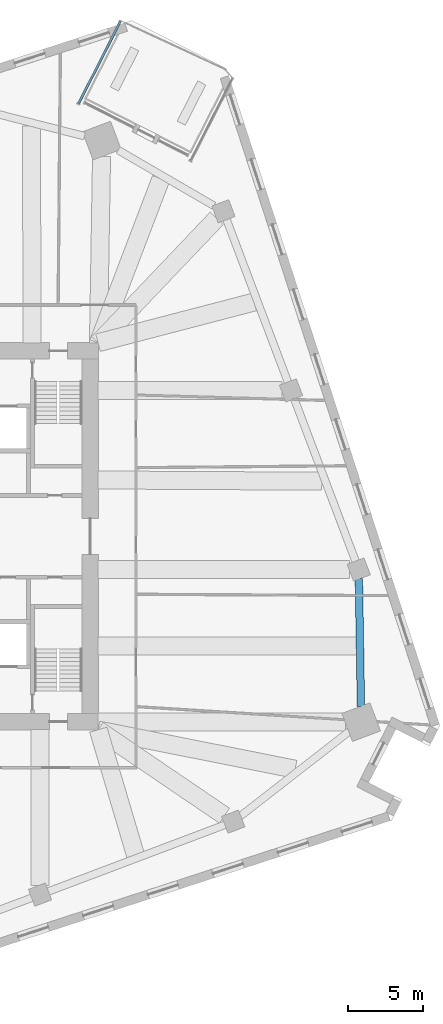
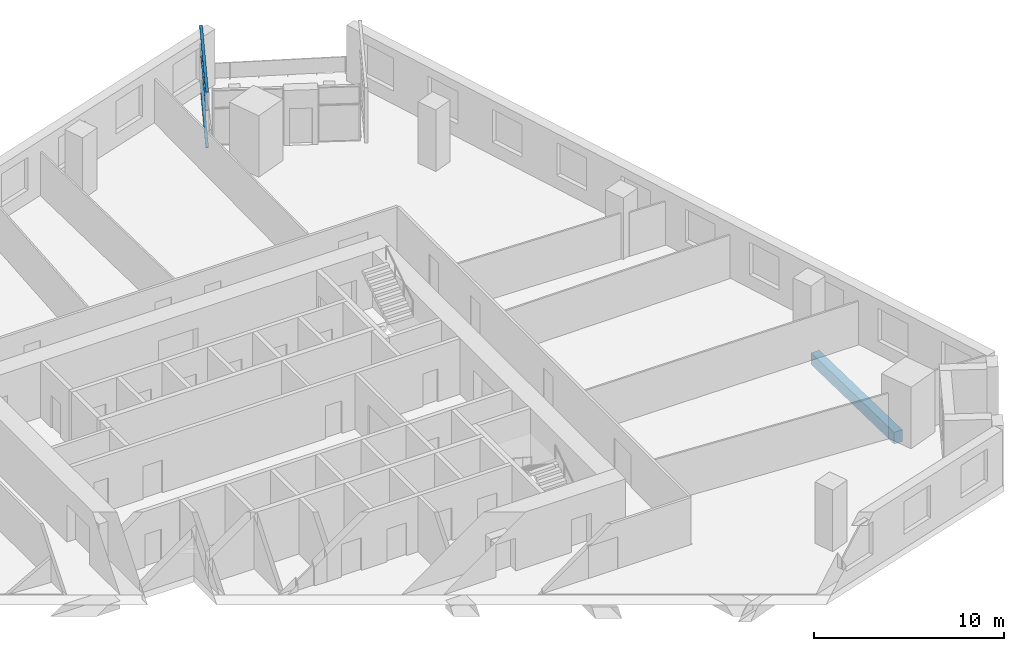
# One storey, part 3 of 12: 3 members, 1 beam, 1 element without a shape of its own.
"""IFC4 building model written with IfcOpenShell, lengths in metres."""

from ifc_helpers import new_model, si_unit, direction, frame, origin, origin_2d, place, context, subcontext, project, spatial, rectangle, extrude, material, material_profile, profile_set, type_object, element, aggregate, save


model = new_model("IFC4")

# Units and contexts
model_context = context("Model", 3, precision=1e-05, world=origin(), true_north=direction((0.0, 1.0)))
body_context = subcontext(model_context, "Body", "Model", "MODEL_VIEW")
ifc_project = project(units=[si_unit("LENGTHUNIT", "METRE"), si_unit("AREAUNIT", "SQUARE_METRE"), si_unit("VOLUMEUNIT", "CUBIC_METRE"), si_unit("PLANEANGLEUNIT", "RADIAN"), si_unit("MASSUNIT", "GRAM", prefix="KILO")], contexts=[model_context])

# Site, building, storey
site_placement = place(None, origin())
site = spatial("IfcSite", under=ifc_project, at=site_placement, CompositionType="ELEMENT")
building_placement = place(site_placement, origin())
building = spatial("IfcBuilding", under=site, at=building_placement, Name="Dilmun Exchange Tower", CompositionType="ELEMENT")
storey_placement = place(building_placement, frame((0.0, 0.0, 94.10009765625)))
storey = spatial("IfcBuildingStorey", under=building, at=storey_placement, Name="L21", CompositionType="ELEMENT", Elevation=94.10009765625)

# Curtain wall, members
ifc_material_1 = material(Name="Anodised aluminium and clear glass", Category="aluminium")
curtain_wall_type = type_object("IfcCurtainWallType", Name="Garden corner glazing", PredefinedType="NOTDEFINED", material=ifc_material_1)
curtain_wall_placement = place(storey_placement, origin())
curtain_wall = element("IfcCurtainWall", 1, at=curtain_wall_placement, inside=storey, type_object=curtain_wall_type, Name="Garden corner glazing run GC3.1", PredefinedType="NOTDEFINED")
ifc_material_2 = material(Name="Anodised aluminium", Category="aluminium")
ifc_material_profile_1 = material_profile(ifc_material_2, rectangle(XDim=0.159912109375, YDim=0.06005859375, at=origin_2d()), Name="AL 60x160")
ifc_profile_set_1 = profile_set([ifc_material_profile_1], Name="Anodised aluminium")
member_type = type_object("IfcMemberType", Name="Garden corner glazing transom 60 x 160", PredefinedType="USERDEFINED", material=ifc_profile_set_1)
member_1_placement = place(storey_placement, frame((11.572509765625, 28.824462890625, 0.02978515625), z_axis=(0.453975328977, 0.891014253915, 0.0), x_axis=(-0.891014253915, 0.453975328977, 0.0)))
member_1 = element("IfcMember", 2, at=member_1_placement, type_object=member_type, Name="GC3.1 transom 1.1", ObjectType="TRANSOM", PredefinedType="USERDEFINED", context=body_context, shape_type="SweptSolid", body=[
    extrude(rectangle(XDim=0.159912109375, YDim=0.06005859375, at=origin_2d()), origin(), (0.0, 0.0, 1.0), 6.12646484375),
])
member_2_placement = place(storey_placement, frame((11.572509765625, 28.824462890625, 2.39990234375), z_axis=(0.453975328977, 0.891014253915, 0.0), x_axis=(-0.891014253915, 0.453975328977, 0.0)))
member_2 = element("IfcMember", 3, at=member_2_placement, type_object=member_type, Name="GC3.1 transom 1.2", ObjectType="TRANSOM", PredefinedType="USERDEFINED", context=body_context, shape_type="SweptSolid", body=[
    extrude(rectangle(XDim=0.159912109375, YDim=0.06005859375, at=origin_2d()), origin(), (0.0, 0.0, 1.0), 6.12646484375),
])
member_3_placement = place(storey_placement, frame((11.572509765625, 28.824462890625, 3.5498046875), z_axis=(0.453975328977, 0.891014253915, 0.0), x_axis=(-0.891014253915, 0.453975328977, 0.0)))
member_3 = element("IfcMember", 4, at=member_3_placement, type_object=member_type, Name="GC3.1 transom 1.3", ObjectType="TRANSOM", PredefinedType="USERDEFINED", context=body_context, shape_type="SweptSolid", body=[
    extrude(rectangle(XDim=0.159912109375, YDim=0.06005859375, at=origin_2d()), origin(), (0.0, 0.0, 1.0), 6.12646484375),
])
aggregate(curtain_wall, [member_1, member_2, member_3])

# Beam
ifc_material_3 = material(Name="Concrete C40/50", Category="concrete")
ifc_material_profile_2 = material_profile(ifc_material_3, rectangle(XDim=0.5, YDim=0.75, at=origin_2d()), Name="500 x 750")
ifc_profile_set_2 = profile_set([ifc_material_profile_2], Name="Concrete C40/50")
beam_type = type_object("IfcBeamType", Name="RC ring beam 500 x 750 C40/50", PredefinedType="SPANDREL", material=ifc_profile_set_2)
beam_placement = place(storey_placement, frame((30.37744140625, -11.33544921875, -0.795166015625), z_axis=(-0.016054357527, 0.999871120497, 0.0), x_axis=(-0.999871120497, -0.016054357527, 0.0)))
element("IfcBeam", 5, at=beam_placement, inside=storey, type_object=beam_type, Name="Ring beam 13", PredefinedType="SPANDREL", context=body_context, shape_type="SweptSolid", body=[
    extrude(rectangle(XDim=0.5, YDim=0.75, at=origin_2d()), origin(), (0.0, 0.0, 1.0), 8.515869140625),
])

save(model, "model.ifc")
